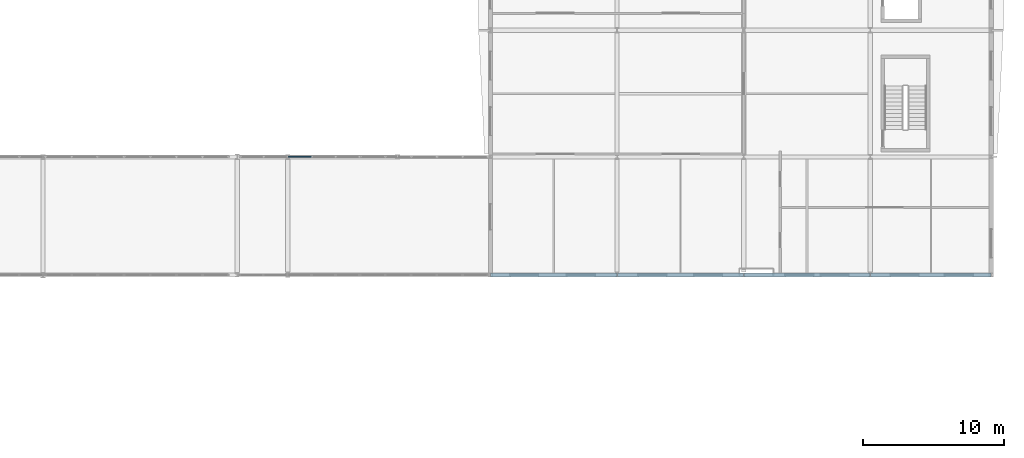
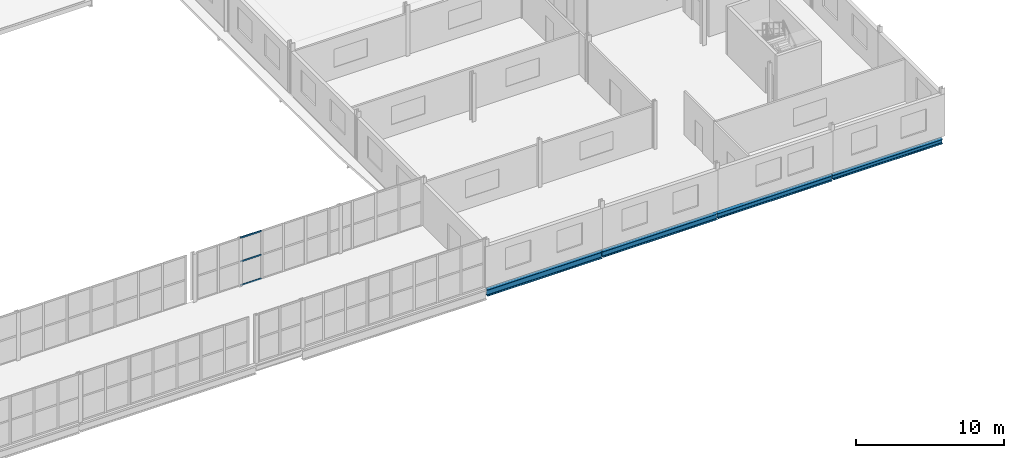
# One storey, part 66 of 138: 4 beams, 3 members, 1 element without a shape of its own.
"""IFC4 building model written with IfcOpenShell, lengths in metres."""

from ifc_helpers import new_model, si_unit, direction, frame, origin, origin_2d, place, context, subcontext, project, spatial, hollow_rectangle, i_section, extrude, material, layer, layer_set, material_profile, profile_set, type_object, element, aggregate, save


model = new_model("IFC4")

# Units and contexts
model_context = context("Model", 3, precision=1e-05, world=origin(), true_north=direction((0.0, 1.0)))
body_context = subcontext(model_context, "Body", "Model", "MODEL_VIEW")
ifc_project = project(units=[si_unit("LENGTHUNIT", "METRE"), si_unit("AREAUNIT", "SQUARE_METRE"), si_unit("VOLUMEUNIT", "CUBIC_METRE"), si_unit("PLANEANGLEUNIT", "RADIAN"), si_unit("MASSUNIT", "GRAM", prefix="KILO")], contexts=[model_context])

# Site, building, storey
site_placement = place(None, origin())
site = spatial("IfcSite", under=ifc_project, at=site_placement, CompositionType="ELEMENT")
building_placement = place(site_placement, origin())
building = spatial("IfcBuilding", under=site, at=building_placement, Name="Vinh Khe Railworks Police Headquarters", CompositionType="ELEMENT")
storey_placement = place(building_placement, frame((0.0, 0.0, 9.0)))
storey = spatial("IfcBuildingStorey", under=building, at=storey_placement, Name="L02", CompositionType="ELEMENT", Elevation=9.0)

# Beams
ifc_material_1 = material(Name="Steel S355JR", Category="steel")
ifc_material_profile_1 = material_profile(ifc_material_1, i_section(OverallWidth=0.300048828125, OverallDepth=0.389892578125, WebThickness=0.010986328125, FlangeThickness=0.01904296875, FilletRadius=0.027099609375, at=origin_2d()), Name="HEA 400")
ifc_profile_set_1 = profile_set([ifc_material_profile_1], Name="Steel S355JR")
beam_type_1 = type_object("IfcBeamType", Name="Steel Girder HEA 400", PredefinedType="BEAM", material=ifc_profile_set_1)
beam_1_placement = place(storey_placement, frame((105.02001953125, 96.0, -0.4150390625), z_axis=(1.0, 0.0, 0.0), x_axis=(0.0, 1.0, 0.0)))
element("IfcBeam", 1, at=beam_1_placement, inside=storey, type_object=beam_type_1, Name="Girder BM-L02-EW-SB-14-0815", PredefinedType="BEAM", context=body_context, shape_type="SweptSolid", body=[
    extrude(i_section(OverallWidth=0.300048828125, OverallDepth=0.389892578125, WebThickness=0.010986328125, FlangeThickness=0.01904296875, FilletRadius=0.027099609375, at=origin_2d()), origin(), (0.0, 0.0, 1.0), 8.56005859375),
])
ifc_material_profile_2 = material_profile(ifc_material_1, i_section(OverallWidth=0.300048828125, OverallDepth=0.43994140625, WebThickness=0.011474609375, FlangeThickness=0.02099609375, FilletRadius=0.027099609375, at=origin_2d()), Name="HEA 450")
ifc_profile_set_2 = profile_set([ifc_material_profile_2], Name="Steel S355JR")
beam_type_2 = type_object("IfcBeamType", Name="Steel Girder HEA 450", PredefinedType="BEAM", material=ifc_profile_set_2)
beam_2_placement = place(storey_placement, frame((96.02001953125, 96.0, -0.43994140625), z_axis=(1.0, 0.0, 0.0), x_axis=(0.0, 1.0, 0.0)))
element("IfcBeam", 2, at=beam_2_placement, inside=storey, type_object=beam_type_2, Name="Girder BM-L02-EW-SB-13-0814", PredefinedType="BEAM", context=body_context, shape_type="SweptSolid", body=[
    extrude(i_section(OverallWidth=0.300048828125, OverallDepth=0.43994140625, WebThickness=0.011474609375, FlangeThickness=0.02099609375, FilletRadius=0.027099609375, at=origin_2d()), origin(), (0.0, 0.0, 1.0), 8.9599609375),
])
ifc_material_profile_3 = material_profile(ifc_material_1, i_section(OverallWidth=0.300048828125, OverallDepth=0.489990234375, WebThickness=0.011962890625, FlangeThickness=0.02294921875, FilletRadius=0.027099609375, at=origin_2d()), Name="HEA 500")
ifc_profile_set_3 = profile_set([ifc_material_profile_3], Name="Steel S355JR")
beam_type_3 = type_object("IfcBeamType", Name="Steel Girder HEA 500", PredefinedType="BEAM", material=ifc_profile_set_3)
beam_3_placement = place(storey_placement, frame((87.02001953125, 96.0, -0.465087890625), z_axis=(1.0, 0.0, 0.0), x_axis=(0.0, 1.0, 0.0)))
element("IfcBeam", 3, at=beam_3_placement, inside=storey, type_object=beam_type_3, Name="Girder BM-L02-EW-SB-12-0813", PredefinedType="BEAM", context=body_context, shape_type="SweptSolid", body=[
    extrude(i_section(OverallWidth=0.300048828125, OverallDepth=0.489990234375, WebThickness=0.011962890625, FlangeThickness=0.02294921875, FilletRadius=0.027099609375, at=origin_2d()), origin(), (0.0, 0.0, 1.0), 8.9599609375),
])
ifc_material_profile_4 = material_profile(ifc_material_1, i_section(OverallWidth=0.300048828125, OverallDepth=0.5400390625, WebThickness=0.012451171875, FlangeThickness=0.02392578125, FilletRadius=0.027099609375, at=origin_2d()), Name="HEA 550")
ifc_profile_set_4 = profile_set([ifc_material_profile_4], Name="Steel S355JR")
beam_type_4 = type_object("IfcBeamType", Name="Steel Girder HEA 550", PredefinedType="BEAM", material=ifc_profile_set_4)
beam_4_placement = place(storey_placement, frame((78.02001953125, 96.0, -0.489990234375), z_axis=(1.0, 0.0, 0.0), x_axis=(0.0, 1.0, 0.0)))
element("IfcBeam", 4, at=beam_4_placement, inside=storey, type_object=beam_type_4, Name="Girder BM-L02-EW-SB-11-0812", PredefinedType="BEAM", context=body_context, shape_type="SweptSolid", body=[
    extrude(i_section(OverallWidth=0.300048828125, OverallDepth=0.5400390625, WebThickness=0.012451171875, FlangeThickness=0.02392578125, FilletRadius=0.027099609375, at=origin_2d()), origin(), (0.0, 0.0, 1.0), 8.9599609375),
])

# Curtain wall, members
ifc_material_2 = material(Name="Anodised aluminium and solar-control glass", Category="aluminium")
ifc_layer = layer(ifc_material_2, 0.159912109375)
ifc_layer_set = layer_set([ifc_layer], Name="Anodised aluminium and solar-control glass")
curtain_wall_type = type_object("IfcCurtainWallType", Name="CW-SHOPFRONT", PredefinedType="USERDEFINED", material=ifc_layer_set)
curtain_wall_placement = place(storey_placement, origin())
curtain_wall = element("IfcCurtainWall", 5, at=curtain_wall_placement, inside=storey, type_object=curtain_wall_type, Name="Link Bridge North Glazing L02 Bay 5", ObjectType="UNITISED GLAZING", PredefinedType="USERDEFINED")
ifc_material_3 = material(Name="Anodised aluminium 6063-T6", Category="aluminium")
ifc_material_profile_5 = material_profile(ifc_material_3, hollow_rectangle(XDim=0.06005859375, YDim=0.1201171875, WallThickness=0.00390625, at=origin_2d()), Name="CW-T 60x120x4")
ifc_profile_set_5 = profile_set([ifc_material_profile_5], Name="Anodised aluminium 6063-T6")
member_type = type_object("IfcMemberType", Name="TRAN-CWT-01", PredefinedType="USERDEFINED", material=ifc_profile_set_5)
member_1_placement = place(storey_placement, frame((63.626953125, 104.39990234375, 0.030029296875), z_axis=(1.0, 0.0, 0.0), x_axis=(0.0, 1.0, 0.0)))
member_1 = element("IfcMember", 6, at=member_1_placement, type_object=member_type, Name="CW-03 transom 3.1", ObjectType="TRANSOM", PredefinedType="USERDEFINED", context=body_context, shape_type="SweptSolid", body=[
    extrude(hollow_rectangle(XDim=0.06005859375, YDim=0.1201171875, WallThickness=0.00390625, at=origin_2d()), origin(), (0.0, 0.0, 1.0), 1.64111328125),
])
member_2_placement = place(storey_placement, frame((63.626953125, 104.39990234375, 1.989990234375), z_axis=(1.0, 0.0, 0.0), x_axis=(0.0, 1.0, 0.0)))
member_2 = element("IfcMember", 7, at=member_2_placement, type_object=member_type, Name="CW-03 transom 3.2", ObjectType="TRANSOM", PredefinedType="USERDEFINED", context=body_context, shape_type="SweptSolid", body=[
    extrude(hollow_rectangle(XDim=0.06005859375, YDim=0.1201171875, WallThickness=0.00390625, at=origin_2d()), origin(), (0.0, 0.0, 1.0), 1.64111328125),
])
member_3_placement = place(storey_placement, frame((63.626953125, 104.39990234375, 3.949951171875), z_axis=(1.0, 0.0, 0.0), x_axis=(0.0, 1.0, 0.0)))
member_3 = element("IfcMember", 8, at=member_3_placement, type_object=member_type, Name="CW-03 transom 3.3", ObjectType="TRANSOM", PredefinedType="USERDEFINED", context=body_context, shape_type="SweptSolid", body=[
    extrude(hollow_rectangle(XDim=0.06005859375, YDim=0.1201171875, WallThickness=0.00390625, at=origin_2d()), origin(), (0.0, 0.0, 1.0), 1.64111328125),
])
aggregate(curtain_wall, [member_1, member_2, member_3])

save(model, "model.ifc")
